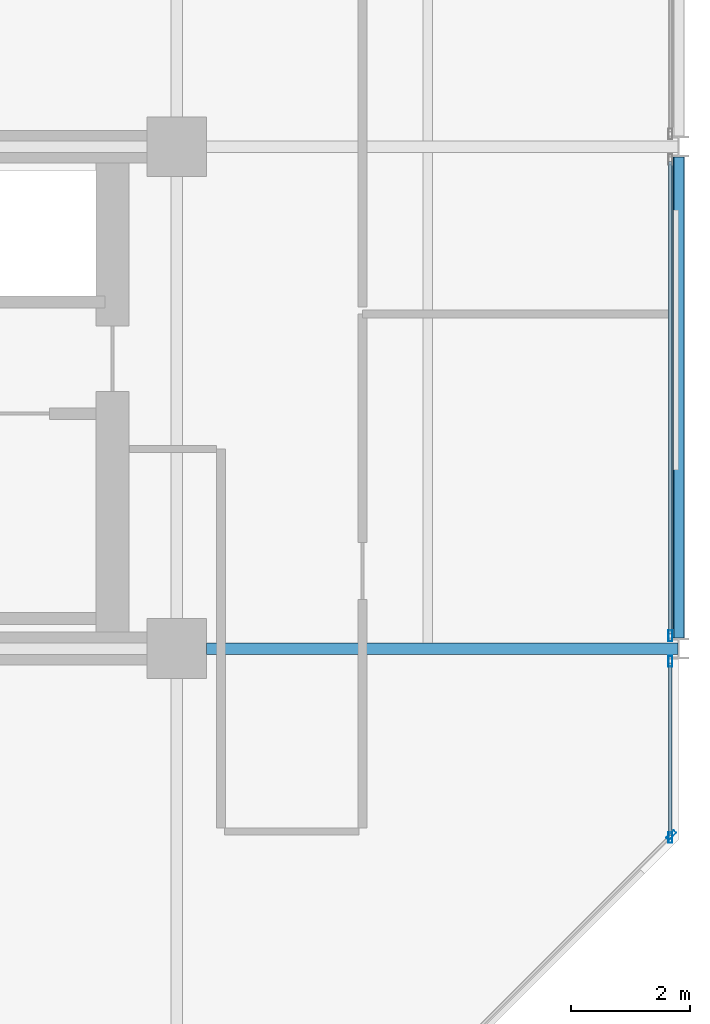
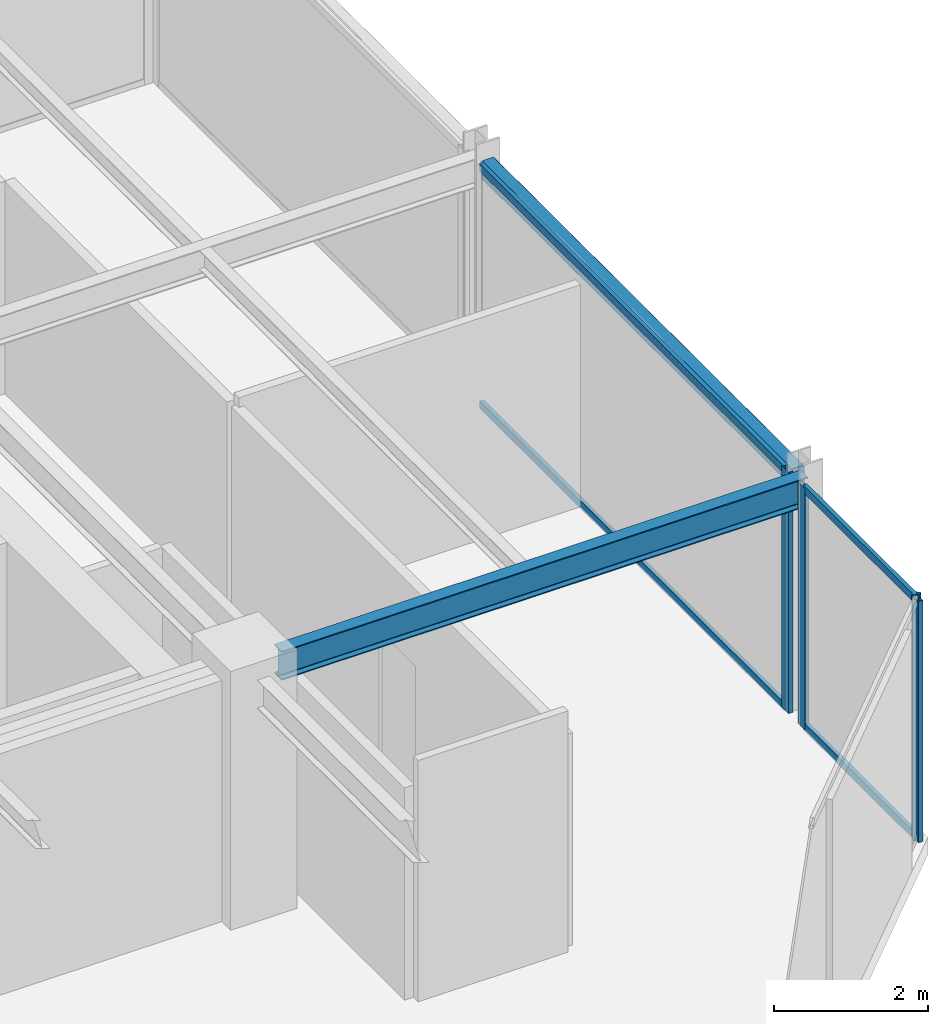
# One storey, part 13 of 29: 8 members, 2 beams, 3 elements without a shape of their own.
"""IFC4 building model written with IfcOpenShell, lengths in metres."""

from ifc_helpers import new_model, si_unit, direction, frame, origin, origin_2d, place, context, subcontext, project, spatial, hollow_rectangle, i_section, extrude, material, layer, layer_set, material_profile, profile_set, type_object, element, aggregate, save


model = new_model("IFC4")

# Units and contexts
model_context = context("Model", 3, precision=1e-05, world=origin(), true_north=direction((0.0, 1.0)))
body_context = subcontext(model_context, "Body", "Model", "MODEL_VIEW")
ifc_project = project(units=[si_unit("LENGTHUNIT", "METRE"), si_unit("AREAUNIT", "SQUARE_METRE"), si_unit("VOLUMEUNIT", "CUBIC_METRE"), si_unit("PLANEANGLEUNIT", "RADIAN"), si_unit("MASSUNIT", "GRAM", prefix="KILO")], contexts=[model_context])

# Site, building, storey
site_placement = place(None, origin())
site = spatial("IfcSite", under=ifc_project, at=site_placement, CompositionType="ELEMENT")
building_placement = place(site_placement, origin())
building = spatial("IfcBuilding", under=site, at=building_placement, Name="Nerrivon Quay Data Exchange", CompositionType="ELEMENT")
storey_placement = place(building_placement, frame((0.0, 0.0, 212.39990234375)))
storey = spatial("IfcBuildingStorey", under=building, at=storey_placement, Name="L50", CompositionType="ELEMENT", Elevation=212.39990234375)

# Beams
ifc_material_1 = material(Name="Steel Grade 350", Category="steel")
ifc_material_profile_1 = material_profile(ifc_material_1, i_section(OverallWidth=0.19091796875, OverallDepth=0.4599609375, WebThickness=0.010009765625, FlangeThickness=0.01611328125, FilletRadius=0.011474609375, at=origin_2d()), Name="460UB82.1")
ifc_profile_set_1 = profile_set([ifc_material_profile_1], Name="Steel Grade 350")
beam_type_1 = type_object("IfcBeamType", Name="BM-G5-460UB82", PredefinedType="BEAM", material=ifc_profile_set_1)
beam_1_placement = place(storey_placement, frame((34.10009765625, 8.39990234375, 3.59521484375), z_axis=(1.0, 0.0, 0.0), x_axis=(0.0, 1.0, 0.0)))
element("IfcBeam", 1, at=beam_1_placement, inside=storey, type_object=beam_type_1, Name="L50 EW Girder Y=8.4 (33.6..42.0)", PredefinedType="BEAM", context=body_context, shape_type="SweptSolid", body=[
    extrude(i_section(OverallWidth=0.19091796875, OverallDepth=0.4599609375, WebThickness=0.010009765625, FlangeThickness=0.01611328125, FilletRadius=0.011474609375, at=origin_2d()), origin(), (0.0, 0.0, 1.0), 7.889892578125),
])
ifc_material_2 = material(Name="Steel Grade C350L0 (350 MPa)", Category="steel")
ifc_material_profile_2 = material_profile(ifc_material_2, hollow_rectangle(XDim=0.199951171875, YDim=0.300048828125, WallThickness=0.012451171875, InnerFilletRadius=0.018798828125, OuterFilletRadius=0.03125, at=origin_2d()), Name="300x200x12.5RHS")
ifc_profile_set_2 = profile_set([ifc_material_profile_2], Name="Steel Grade C350L0 (350 MPa)")
beam_type_2 = type_object("IfcBeamType", Name="BM-SP3-300x200RHS", PredefinedType="SPANDREL", material=ifc_profile_set_2)
beam_2_placement = place(storey_placement, frame((42.0, 8.574951171875, 3.675048828125), z_axis=(0.0, 1.0, 0.0), x_axis=(-1.0, 0.0, 0.0)))
element("IfcBeam", 2, at=beam_2_placement, inside=storey, type_object=beam_type_2, Name="L50 NS Girder X=42.0 (8.4..16.8)", PredefinedType="SPANDREL", context=body_context, shape_type="SweptSolid", body=[
    extrude(hollow_rectangle(XDim=0.199951171875, YDim=0.300048828125, WallThickness=0.012451171875, InnerFilletRadius=0.018798828125, OuterFilletRadius=0.03125, at=origin_2d()), origin(), (0.0, 0.0, 1.0), 8.050048828125),
])

# Curtain wall, member
ifc_material_3 = material(Name="Anodised aluminium 6063-T6", Category="aluminium")
ifc_layer = layer(ifc_material_3, 0.195068359375)
ifc_layer_set = layer_set([ifc_layer], Name="Anodised aluminium 6063-T6")
curtain_wall_type = type_object("IfcCurtainWallType", Name="CW-SYS-06", PredefinedType="NOTDEFINED", material=ifc_layer_set)
curtain_wall_1_placement = place(storey_placement, origin())
curtain_wall_1 = element("IfcCurtainWall", 3, at=curtain_wall_1_placement, inside=storey, type_object=curtain_wall_type, Name="L50 Unitised Curtain Wall 19", PredefinedType="NOTDEFINED")
ifc_material_profile_3 = material_profile(ifc_material_3, hollow_rectangle(XDim=0.06494140625, YDim=0.179931640625, WallThickness=0.00341796875, at=origin_2d()), Name="ALU-MULL-180x65")
ifc_profile_set_3 = profile_set([ifc_material_profile_3], Name="Anodised aluminium 6063-T6")
member_type_1 = type_object("IfcMemberType", Name="CWM-180x65", PredefinedType="MULLION", material=ifc_profile_set_3)
member_1_placement = place(storey_placement, frame((41.860107421875, 8.612548828125, 0.0), z_axis=(0.0, 0.0, 1.0), x_axis=(1.0, 0.0, 0.0)))
member_1 = element("IfcMember", 4, at=member_1_placement, type_object=member_type_1, Name="CW06 mullion 2", PredefinedType="MULLION", context=body_context, shape_type="SweptSolid", body=[
    extrude(hollow_rectangle(XDim=0.06494140625, YDim=0.179931640625, WallThickness=0.00341796875, at=origin_2d()), origin(), (0.0, 0.0, 1.0), 3.8251953125),
])

# Curtain wall, members
curtain_wall_2_placement = place(storey_placement, origin())
curtain_wall_2 = element("IfcCurtainWall", 5, at=curtain_wall_2_placement, inside=storey, type_object=curtain_wall_type, Name="L50 Unitised Curtain Wall 20", PredefinedType="NOTDEFINED")
member_2_placement = place(storey_placement, frame((41.860107421875, 8.1875, 0.0), z_axis=(0.0, 0.0, 1.0), x_axis=(1.0, 0.0, 0.0)))
member_2 = element("IfcMember", 6, at=member_2_placement, type_object=member_type_1, Name="CW06 mullion 1", PredefinedType="MULLION", context=body_context, shape_type="SweptSolid", body=[
    extrude(hollow_rectangle(XDim=0.06494140625, YDim=0.179931640625, WallThickness=0.00341796875, at=origin_2d()), origin(), (0.0, 0.0, 1.0), 3.8251953125),
])
member_3_placement = place(storey_placement, frame((41.860107421875, 5.237548828125, 0.0), z_axis=(0.0, 0.0, 1.0), x_axis=(1.0, 0.0, 0.0)))
member_3 = element("IfcMember", 7, at=member_3_placement, type_object=member_type_1, Name="CW06 mullion 2", PredefinedType="MULLION", context=body_context, shape_type="SweptSolid", body=[
    extrude(hollow_rectangle(XDim=0.06494140625, YDim=0.179931640625, WallThickness=0.00341796875, at=origin_2d()), origin(), (0.0, 0.0, 1.0), 3.8251953125),
])

# Curtain wall, member
curtain_wall_3_placement = place(storey_placement, origin())
curtain_wall_3 = element("IfcCurtainWall", 8, at=curtain_wall_3_placement, inside=storey, type_object=curtain_wall_type, Name="L50 Unitised Curtain Wall 21", PredefinedType="NOTDEFINED")
member_4_placement = place(storey_placement, frame((41.87451171875, 5.2724609375, 0.0), z_axis=(0.0, 0.0, 1.0), x_axis=(0.707106781187, -0.707106781187, 0.0)))
member_4 = element("IfcMember", 9, at=member_4_placement, type_object=member_type_1, Name="CW06 mullion 1", PredefinedType="MULLION", context=body_context, shape_type="SweptSolid", body=[
    extrude(hollow_rectangle(XDim=0.06494140625, YDim=0.179931640625, WallThickness=0.00341796875, at=origin_2d()), origin(), (0.0, 0.0, 1.0), 3.8251953125),
])
aggregate(curtain_wall_3, [member_4])

# Member
ifc_material_profile_4 = material_profile(ifc_material_3, hollow_rectangle(XDim=0.06005859375, YDim=0.1201171875, WallThickness=0.003173828125, at=origin_2d()), Name="ALU-TRAN-120x60")
ifc_profile_set_4 = profile_set([ifc_material_profile_4], Name="Anodised aluminium 6063-T6")
member_type_2 = type_object("IfcMemberType", Name="CWT-120x60", PredefinedType="USERDEFINED", material=ifc_profile_set_4)
member_5_placement = place(storey_placement, frame((41.860107421875, 16.550048828125, 0.03271484375), z_axis=(0.0, -1.0, 0.0), x_axis=(1.0, 0.0, 0.0)))
member_5 = element("IfcMember", 10, at=member_5_placement, type_object=member_type_2, Name="CW06 transom 1.1", ObjectType="TRANSOM", PredefinedType="USERDEFINED", context=body_context, shape_type="SweptSolid", body=[
    extrude(hollow_rectangle(XDim=0.06005859375, YDim=0.1201171875, WallThickness=0.003173828125, at=origin_2d()), origin(), (0.0, 0.0, 1.0), 7.900146484375),
])

member_6_placement = place(storey_placement, frame((41.860107421875, 16.550048828125, 3.79248046875), z_axis=(0.0, -1.0, 0.0), x_axis=(1.0, 0.0, 0.0)))
member_6 = element("IfcMember", 11, at=member_6_placement, type_object=member_type_2, Name="CW06 transom 1.2", ObjectType="TRANSOM", PredefinedType="USERDEFINED", context=body_context, shape_type="SweptSolid", body=[
    extrude(hollow_rectangle(XDim=0.06005859375, YDim=0.1201171875, WallThickness=0.003173828125, at=origin_2d()), origin(), (0.0, 0.0, 1.0), 7.900146484375),
])

aggregate(curtain_wall_1, [member_1, member_5, member_6])

member_7_placement = place(storey_placement, frame((41.860107421875, 8.14990234375, 0.03271484375), z_axis=(0.0, -1.0, 0.0), x_axis=(1.0, 0.0, 0.0)))
member_7 = element("IfcMember", 12, at=member_7_placement, type_object=member_type_2, Name="CW06 transom 1.1", ObjectType="TRANSOM", PredefinedType="USERDEFINED", context=body_context, shape_type="SweptSolid", body=[
    extrude(hollow_rectangle(XDim=0.06005859375, YDim=0.1201171875, WallThickness=0.003173828125, at=origin_2d()), origin(), (0.0, 0.0, 1.0), 2.875),
])

member_8_placement = place(storey_placement, frame((41.860107421875, 8.14990234375, 3.79248046875), z_axis=(0.0, -1.0, 0.0), x_axis=(1.0, 0.0, 0.0)))
member_8 = element("IfcMember", 13, at=member_8_placement, type_object=member_type_2, Name="CW06 transom 1.2", ObjectType="TRANSOM", PredefinedType="USERDEFINED", context=body_context, shape_type="SweptSolid", body=[
    extrude(hollow_rectangle(XDim=0.06005859375, YDim=0.1201171875, WallThickness=0.003173828125, at=origin_2d()), origin(), (0.0, 0.0, 1.0), 2.875),
])

aggregate(curtain_wall_2, [member_2, member_3, member_7, member_8])

save(model, "model.ifc")
